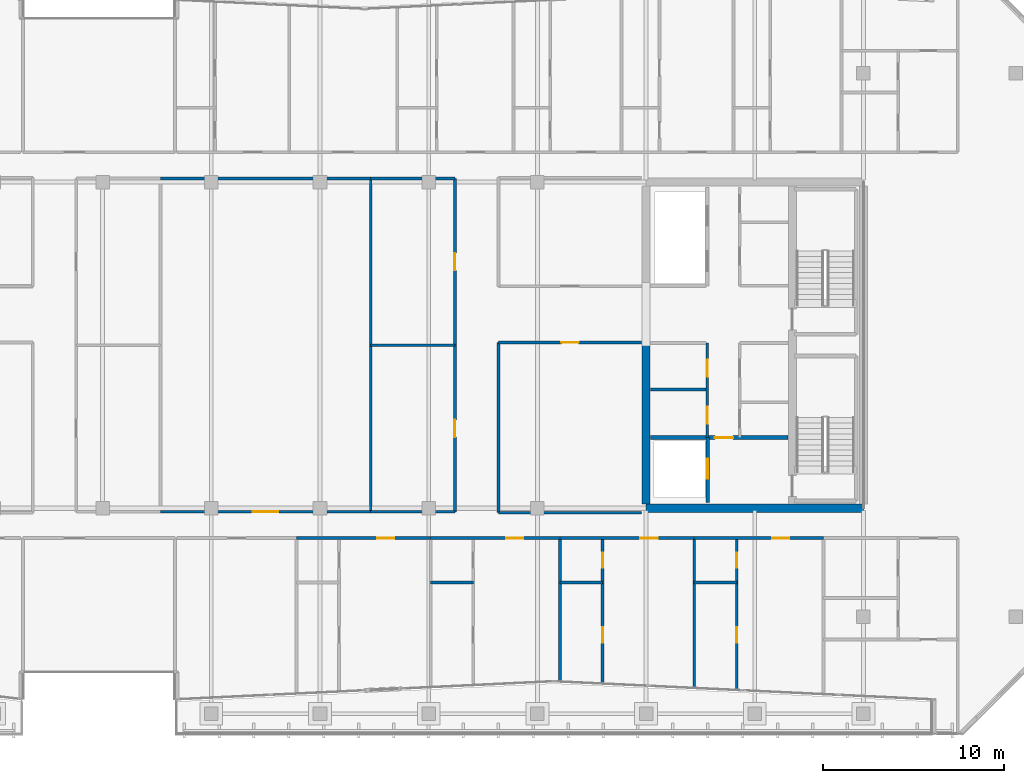
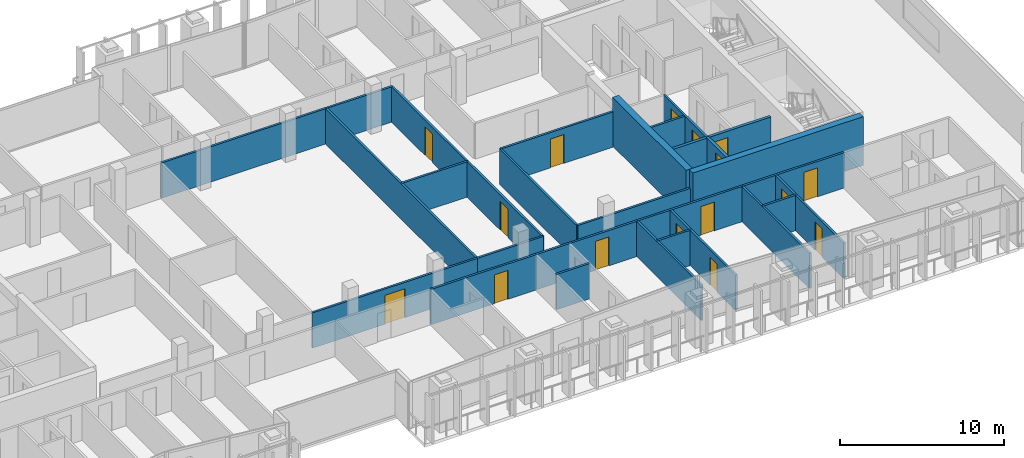
# One storey, part 22 of 31: 28 walls, 16 doors, 16 openings.
"""IFC4 building model written with IfcOpenShell, lengths in metres."""

from ifc_helpers import new_model, si_unit, direction, frame, frame_2d, origin, place, context, subcontext, project, spatial, rectangle, extrude, material, layer, layer_set, type_object, element, fill, save


model = new_model("IFC4")

# Units and contexts
model_context = context("Model", 3, precision=1e-05, world=origin(), true_north=direction((0.0, 1.0)))
body_context = subcontext(model_context, "Body", "Model", "MODEL_VIEW")
ifc_project = project(units=[si_unit("LENGTHUNIT", "METRE"), si_unit("AREAUNIT", "SQUARE_METRE"), si_unit("VOLUMEUNIT", "CUBIC_METRE"), si_unit("PLANEANGLEUNIT", "RADIAN"), si_unit("MASSUNIT", "GRAM", prefix="KILO")], contexts=[model_context])

# Site, building, storey
site_placement = place(None, origin())
site = spatial("IfcSite", under=ifc_project, at=site_placement, CompositionType="ELEMENT")
building_placement = place(site_placement, origin())
building = spatial("IfcBuilding", under=site, at=building_placement, Name="Tanjung Sevakor Pilgrim Tower", CompositionType="ELEMENT")
storey_placement = place(building_placement, frame((0.0, 0.0, 208.22998046875)))
storey = spatial("IfcBuildingStorey", under=building, at=storey_placement, Name="L58", CompositionType="ELEMENT", Elevation=208.22998046875)

# Walls
ifc_material_1 = material(Name="Concrete C60/75", Category="concrete")
ifc_layer_1 = layer(ifc_material_1, 0.449951171875)
ifc_layer_set_1 = layer_set([ifc_layer_1], Name="WALL-CW-450")
wall_type_1 = type_object("IfcWallType", Name="WALL-CW-450", PredefinedType="SHEAR", material=ifc_layer_set_1)
wall_1_placement = place(storey_placement, frame((78.0, 24.60009765625, 0.0), z_axis=(0.0, 0.0, 1.0), x_axis=(1.0, 0.0, 0.0)))
element("IfcWall", 1, at=wall_1_placement, inside=storey, type_object=wall_type_1, Name="L58 E Core South Shear Wall", PredefinedType="SHEAR", context=body_context, shape_type="SweptSolid", body=[
    extrude(rectangle(XDim=12.0, YDim=0.449951171875, at=frame_2d((6.0, 0.0))), origin(), (0.0, 0.0, 1.0), 3.630126953125),
])
wall_2_placement = place(storey_placement, frame((78.0, 24.824951171875, 0.0), z_axis=(0.0, 0.0, 1.0), x_axis=(0.0, 1.0, 0.0)))
element("IfcWall", 2, at=wall_2_placement, inside=storey, type_object=wall_type_1, Name="L58 E Core Inner Shear Wall South", PredefinedType="SHEAR", context=body_context, shape_type="SweptSolid", body=[
    extrude(rectangle(XDim=8.97509765625, YDim=0.449951171875, at=frame_2d((4.487548828125, 0.0))), origin(), (0.0, 0.0, 1.0), 3.630126953125),
])
ifc_material_2 = material(Name="Concrete C40/50", Category="concrete")
ifc_layer_2 = layer(ifc_material_2, 0.14990234375)
ifc_layer_set_2 = layer_set([ifc_layer_2], Name="WT-COMP-150")
wall_type_2 = type_object("IfcWallType", Name="WT-COMP-150", PredefinedType="SOLIDWALL", material=ifc_layer_set_2)
wall_3_placement = place(storey_placement, frame((78.2451171875, 31.14990234375, 0.0), z_axis=(0.0, 0.0, 1.0), x_axis=(1.0, 0.0, 0.0)))
element("IfcWall", 3, at=wall_3_placement, inside=storey, type_object=wall_type_2, Name="L58 Partition IW-L58-019", PredefinedType="SOLIDWALL", context=body_context, shape_type="SweptSolid", body=[
    extrude(rectangle(XDim=3.074951171875, YDim=0.14990234375, at=frame_2d((1.53759765625, 0.0))), origin(), (0.0, 0.0, 1.0), 2.6298828125),
])

# Wall, openings, doors
wall_4_placement = place(storey_placement, frame((81.3798828125, 28.5, 0.0), z_axis=(0.0, 0.0, 1.0), x_axis=(0.0, 1.0, 0.0)))
wall_4 = element("IfcWall", 4, at=wall_4_placement, inside=storey, type_object=wall_type_2, Name="L58 Partition IW-L58-021", PredefinedType="SOLIDWALL", context=body_context, shape_type="SweptSolid", body=[
    extrude(rectangle(XDim=5.219970703125, YDim=0.14990234375, at=frame_2d((2.60986328125, 0.0))), origin(), (0.0, 0.0, 1.0), 2.6298828125),
])
opening_1_placement = place(wall_4_placement, frame((0.75, 0.0, 0.0)))
opening_1 = element("IfcOpeningElement", 5, at=opening_1_placement, cuts=wall_4, Name="Opening ID-FD2", PredefinedType="OPENING", context=body_context, shape_type="SweptSolid", body=[
    extrude(rectangle(XDim=0.949951171875, YDim=2.14990234375, at=frame_2d((0.47509765625, 1.074951171875))), frame((0.0, 0.0849609375, 0.0), z_axis=(0.0, -1.0, 0.0), x_axis=(1.0, 0.0, 0.0)), (0.0, 0.0, 1.0), 0.169921875),
])
opening_2_placement = place(wall_4_placement, frame((3.35009765625, 0.0, 0.0)))
opening_2 = element("IfcOpeningElement", 6, at=opening_2_placement, cuts=wall_4, Name="Opening ID-FD2", PredefinedType="OPENING", context=body_context, shape_type="SweptSolid", body=[
    extrude(rectangle(XDim=0.949951171875, YDim=2.14990234375, at=frame_2d((0.47509765625, 1.074951171875))), frame((0.0, 0.0849609375, 0.0), z_axis=(0.0, -1.0, 0.0), x_axis=(1.0, 0.0, 0.0)), (0.0, 0.0, 1.0), 0.169921875),
])
ifc_material_3 = material(Name="Fire-Rated Timber", Category="wood")
door_type_1 = type_object("IfcDoorType", Name="DT-FIRE-950", OperationType="NOTDEFINED", PredefinedType="DOOR", material=ifc_material_3)
door_1_placement = place(opening_1_placement, origin())
door_1 = element("IfcDoor", 7, at=door_1_placement, inside=storey, type_object=door_type_1, Name="L58 Accessible WC Door", OperationType="SINGLE_SWING_RIGHT", OverallHeight=2.14990234375, OverallWidth=0.949951171875, PredefinedType="DOOR", context=body_context, shape_type="SweptSolid", body=[
    extrude(rectangle(XDim=0.949951171875, YDim=2.14990234375, at=frame_2d((0.47509765625, 1.074951171875))), frame((0.0, 0.02490234375, 0.0), z_axis=(0.0, -1.0, 0.0), x_axis=(1.0, 0.0, 0.0)), (0.0, 0.0, 1.0), 0.050048828125),
])
fill(opening_1, door_1)
door_2_placement = place(opening_2_placement, origin())
door_2 = element("IfcDoor", 8, at=door_2_placement, inside=storey, type_object=door_type_1, Name="L58 Core Service Door", OperationType="SINGLE_SWING_LEFT", OverallHeight=2.14990234375, OverallWidth=0.949951171875, PredefinedType="DOOR", context=body_context, shape_type="SweptSolid", body=[
    extrude(rectangle(XDim=0.949951171875, YDim=2.14990234375, at=frame_2d((0.47509765625, 1.074951171875))), frame((0.0, 0.02490234375, 0.0), z_axis=(0.0, -1.0, 0.0), x_axis=(1.0, 0.0, 0.0)), (0.0, 0.0, 1.0), 0.050048828125),
])
fill(opening_2, door_2)

# Wall
wall_5_placement = place(storey_placement, frame((69.85009765625, 24.35009765625, 0.0), z_axis=(0.0, 0.0, 1.0), x_axis=(1.0, 0.0, 0.0)))
element("IfcWall", 9, at=wall_5_placement, inside=storey, type_object=wall_type_2, Name="L58 Partition IW-L58-033", PredefinedType="SOLIDWALL", context=body_context, shape_type="SweptSolid", body=[
    extrude(rectangle(XDim=7.90478515625, YDim=0.14990234375, at=frame_2d((3.952392578125, 0.0))), origin(), (0.0, 0.0, 1.0), 2.6298828125),
])

# Wall, opening, door
wall_6_placement = place(storey_placement, frame((69.85009765625, 33.75, 0.0), z_axis=(0.0, 0.0, 1.0), x_axis=(1.0, 0.0, 0.0)))
wall_6 = element("IfcWall", 10, at=wall_6_placement, inside=storey, type_object=wall_type_2, Name="L58 Partition IW-L58-034", PredefinedType="SOLIDWALL", context=body_context, shape_type="SweptSolid", body=[
    extrude(rectangle(XDim=7.90478515625, YDim=0.14990234375, at=frame_2d((3.952392578125, 0.0))), origin(), (0.0, 0.0, 1.0), 2.6298828125),
])
opening_3_placement = place(wall_6_placement, frame((3.4775390625, 0.0, 0.0)))
opening_3 = element("IfcOpeningElement", 11, at=opening_3_placement, cuts=wall_6, Name="Opening ID-RM1", PredefinedType="OPENING", context=body_context, shape_type="SweptSolid", body=[
    extrude(rectangle(XDim=0.949951171875, YDim=2.14990234375, at=frame_2d((0.47509765625, 1.074951171875))), frame((0.0, 0.0849609375, 0.0), z_axis=(0.0, -1.0, 0.0), x_axis=(1.0, 0.0, 0.0)), (0.0, 0.0, 1.0), 0.169921875),
])
ifc_material_4 = material(Name="Hardwood Timber", Category="wood")
door_type_2 = type_object("IfcDoorType", Name="DT-INT-950", OperationType="NOTDEFINED", PredefinedType="DOOR", material=ifc_material_4)
door_3_placement = place(opening_3_placement, origin())
door_3 = element("IfcDoor", 12, at=door_3_placement, inside=storey, type_object=door_type_2, Name="L58 East Inboard South Door", OperationType="SINGLE_SWING_RIGHT", OverallHeight=2.14990234375, OverallWidth=0.949951171875, PredefinedType="DOOR", context=body_context, shape_type="SweptSolid", body=[
    extrude(rectangle(XDim=0.949951171875, YDim=2.14990234375, at=frame_2d((0.47509765625, 1.074951171875))), frame((0.0, 0.02490234375, 0.0), z_axis=(0.0, -1.0, 0.0), x_axis=(1.0, 0.0, 0.0)), (0.0, 0.0, 1.0), 0.050048828125),
])
fill(opening_3, door_3)

# Wall
wall_7_placement = place(storey_placement, frame((69.85009765625, 24.35009765625, 0.0), z_axis=(0.0, 0.0, 1.0), x_axis=(0.0, 1.0, 0.0)))
element("IfcWall", 13, at=wall_7_placement, inside=storey, type_object=wall_type_2, Name="L58 Partition IW-L58-035", PredefinedType="SOLIDWALL", context=body_context, shape_type="SweptSolid", body=[
    extrude(rectangle(XDim=9.39990234375, YDim=0.14990234375, at=frame_2d((4.699951171875, 0.0))), origin(), (0.0, 0.0, 1.0), 2.6298828125),
])

# Wall, opening, door
wall_8_placement = place(storey_placement, frame((51.199951171875, 24.39990234375, 0.0), z_axis=(0.0, 0.0, 1.0), x_axis=(1.0, 0.0, 0.0)))
wall_8 = element("IfcWall", 14, at=wall_8_placement, inside=storey, type_object=wall_type_2, Name="L58 Partition IW-L58-044", PredefinedType="SOLIDWALL", context=body_context, shape_type="SweptSolid", body=[
    extrude(rectangle(XDim=11.60009765625, YDim=0.14990234375, at=frame_2d((5.800048828125, 0.0))), origin(), (0.0, 0.0, 1.0), 2.6298828125),
])
opening_4_placement = place(wall_8_placement, frame((5.10009765625, 0.0, 0.0)))
opening_4 = element("IfcOpeningElement", 15, at=opening_4_placement, cuts=wall_8, Name="Opening ID-HD1", PredefinedType="OPENING", context=body_context, shape_type="SweptSolid", body=[
    extrude(rectangle(XDim=1.39990234375, YDim=2.14990234375, at=frame_2d((0.699951171875, 1.074951171875))), frame((0.0, 0.0849609375, 0.0), z_axis=(0.0, -1.0, 0.0), x_axis=(1.0, 0.0, 0.0)), (0.0, 0.0, 1.0), 0.169921875),
])
ifc_material_5 = material(Name="Hardwood Timber", Category="wood")
door_type_3 = type_object("IfcDoorType", Name="DT-INT-1400", OperationType="DOUBLE_DOOR_SINGLE_SWING", PredefinedType="DOOR", material=ifc_material_5)
door_4_placement = place(opening_4_placement, origin())
door_4 = element("IfcDoor", 16, at=door_4_placement, inside=storey, type_object=door_type_3, Name="L58 Sky-Prayer Sanctuary Door", OperationType="SINGLE_SWING_RIGHT", OverallHeight=2.14990234375, OverallWidth=1.39990234375, PredefinedType="DOOR", context=body_context, shape_type="SweptSolid", body=[
    extrude(rectangle(XDim=1.39990234375, YDim=2.14990234375, at=frame_2d((0.699951171875, 1.074951171875))), frame((0.0, 0.02490234375, 0.0), z_axis=(0.0, -1.0, 0.0), x_axis=(1.0, 0.0, 0.0)), (0.0, 0.0, 1.0), 0.050048828125),
])
fill(opening_4, door_4)

# Walls
wall_9_placement = place(storey_placement, frame((51.199951171875, 42.800048828125, 0.0), z_axis=(0.0, 0.0, 1.0), x_axis=(1.0, 0.0, 0.0)))
element("IfcWall", 17, at=wall_9_placement, inside=storey, type_object=wall_type_2, Name="L58 Partition IW-L58-045", PredefinedType="SOLIDWALL", context=body_context, shape_type="SweptSolid", body=[
    extrude(rectangle(XDim=11.60009765625, YDim=0.14990234375, at=frame_2d((5.800048828125, 0.0))), origin(), (0.0, 0.0, 1.0), 2.6298828125),
])
wall_10_placement = place(storey_placement, frame((62.800048828125, 24.39990234375, 0.0), z_axis=(0.0, 0.0, 1.0), x_axis=(0.0, 1.0, 0.0)))
element("IfcWall", 18, at=wall_10_placement, inside=storey, type_object=wall_type_2, Name="L58 Partition IW-L58-047", PredefinedType="SOLIDWALL", context=body_context, shape_type="SweptSolid", body=[
    extrude(rectangle(XDim=18.400146484375, YDim=0.14990234375, at=frame_2d((9.2001953125, 0.0))), origin(), (0.0, 0.0, 1.0), 2.6298828125),
])
for number, where, z_axis, x_axis, name in (
    (19, (62.800048828125, 24.39990234375, 0.0), (0.0, 0.0, 1.0), (1.0, 0.0, 0.0), "L58 Partition IW-L58-048"),
    (20, (62.800048828125, 33.60009765625, 0.0), (0.0, 0.0, 1.0), (1.0, 0.0, 0.0), "L58 Partition IW-L58-049"),
):
    element("IfcWall", number, at=place(storey_placement, frame(where, z_axis=z_axis, x_axis=x_axis)), inside=storey, type_object=wall_type_2, Name=name, PredefinedType="SOLIDWALL", context=body_context, shape_type="SweptSolid", body=[
        extrude(rectangle(XDim=4.64990234375, YDim=0.14990234375, at=frame_2d((2.324951171875, 0.0))), origin(), (0.0, 0.0, 1.0), 2.6298828125),
    ])

# Wall, opening, door
wall_11_placement = place(storey_placement, frame((67.449951171875, 24.39990234375, 0.0), z_axis=(0.0, 0.0, 1.0), x_axis=(0.0, 1.0, 0.0)))
wall_11 = element("IfcWall", 21, at=wall_11_placement, inside=storey, type_object=wall_type_2, Name="L58 Partition IW-L58-050", PredefinedType="SOLIDWALL", context=body_context, shape_type="SweptSolid", body=[
    extrude(rectangle(XDim=9.2001953125, YDim=0.14990234375, at=frame_2d((4.60009765625, 0.0))), origin(), (0.0, 0.0, 1.0), 2.6298828125),
])
opening_5_placement = place(wall_11_placement, frame((4.125, 0.0, 0.0)))
opening_5 = element("IfcOpeningElement", 22, at=opening_5_placement, cuts=wall_11, Name="Opening ID-RM1", PredefinedType="OPENING", context=body_context, shape_type="SweptSolid", body=[
    extrude(rectangle(XDim=0.949951171875, YDim=2.14990234375, at=frame_2d((0.47509765625, 1.074951171875))), frame((0.0, 0.0849609375, 0.0), z_axis=(0.0, -1.0, 0.0), x_axis=(1.0, 0.0, 0.0)), (0.0, 0.0, 1.0), 0.169921875),
])
door_5_placement = place(opening_5_placement, origin())
door_5 = element("IfcDoor", 23, at=door_5_placement, inside=storey, type_object=door_type_2, Name="L58 Female Ablution Door", OperationType="SINGLE_SWING_LEFT", OverallHeight=2.14990234375, OverallWidth=0.949951171875, PredefinedType="DOOR", context=body_context, shape_type="SweptSolid", body=[
    extrude(rectangle(XDim=0.949951171875, YDim=2.14990234375, at=frame_2d((0.47509765625, 1.074951171875))), frame((0.0, 0.02490234375, 0.0), z_axis=(0.0, -1.0, 0.0), x_axis=(1.0, 0.0, 0.0)), (0.0, 0.0, 1.0), 0.050048828125),
])
fill(opening_5, door_5)

# Wall
wall_12_placement = place(storey_placement, frame((62.800048828125, 42.800048828125, 0.0), z_axis=(0.0, 0.0, 1.0), x_axis=(1.0, 0.0, 0.0)))
element("IfcWall", 24, at=wall_12_placement, inside=storey, type_object=wall_type_2, Name="L58 Partition IW-L58-051", PredefinedType="SOLIDWALL", context=body_context, shape_type="SweptSolid", body=[
    extrude(rectangle(XDim=4.64990234375, YDim=0.14990234375, at=frame_2d((2.324951171875, 0.0))), origin(), (0.0, 0.0, 1.0), 2.6298828125),
])

# Wall, opening, door
wall_13_placement = place(storey_placement, frame((67.449951171875, 33.60009765625, 0.0), z_axis=(0.0, 0.0, 1.0), x_axis=(0.0, 1.0, 0.0)))
wall_13 = element("IfcWall", 25, at=wall_13_placement, inside=storey, type_object=wall_type_2, Name="L58 Partition IW-L58-052", PredefinedType="SOLIDWALL", context=body_context, shape_type="SweptSolid", body=[
    extrude(rectangle(XDim=9.199951171875, YDim=0.14990234375, at=frame_2d((4.60009765625, 0.0))), origin(), (0.0, 0.0, 1.0), 2.6298828125),
])
opening_6_placement = place(wall_13_placement, frame((4.125, 0.0, 0.0)))
opening_6 = element("IfcOpeningElement", 26, at=opening_6_placement, cuts=wall_13, Name="Opening ID-RM1", PredefinedType="OPENING", context=body_context, shape_type="SweptSolid", body=[
    extrude(rectangle(XDim=0.949951171875, YDim=2.14990234375, at=frame_2d((0.47509765625, 1.074951171875))), frame((0.0, 0.0849609375, 0.0), z_axis=(0.0, -1.0, 0.0), x_axis=(1.0, 0.0, 0.0)), (0.0, 0.0, 1.0), 0.169921875),
])
door_6_placement = place(opening_6_placement, origin())
door_6 = element("IfcDoor", 27, at=door_6_placement, inside=storey, type_object=door_type_2, Name="L58 Female Washroom Door", OperationType="SINGLE_SWING_RIGHT", OverallHeight=2.14990234375, OverallWidth=0.949951171875, PredefinedType="DOOR", context=body_context, shape_type="SweptSolid", body=[
    extrude(rectangle(XDim=0.949951171875, YDim=2.14990234375, at=frame_2d((0.47509765625, 1.074951171875))), frame((0.0, 0.02490234375, 0.0), z_axis=(0.0, -1.0, 0.0), x_axis=(1.0, 0.0, 0.0)), (0.0, 0.0, 1.0), 0.050048828125),
])
fill(opening_6, door_6)

wall_14_placement = place(storey_placement, frame((58.70556640625, 22.949951171875, 0.0), z_axis=(0.0, 0.0, 1.0), x_axis=(1.0, 0.0, 0.0)))
wall_14 = element("IfcWall", 28, at=wall_14_placement, inside=storey, type_object=wall_type_2, Name="L58 Partition IW-L58-077", PredefinedType="SOLIDWALL", context=body_context, shape_type="SweptSolid", body=[
    extrude(rectangle(XDim=7.40869140625, YDim=0.14990234375, at=frame_2d((3.704345703125, 0.0))), origin(), (0.0, 0.0, 1.0), 2.6298828125),
])
opening_7_placement = place(wall_14_placement, frame((4.4443359375, 0.0, 0.0)))
opening_7 = element("IfcOpeningElement", 29, at=opening_7_placement, cuts=wall_14, Name="Opening ID-FD2", PredefinedType="OPENING", context=body_context, shape_type="SweptSolid", body=[
    extrude(rectangle(XDim=0.949951171875, YDim=2.14990234375, at=frame_2d((0.47509765625, 1.074951171875))), frame((0.0, 0.0849609375, 0.0), z_axis=(0.0, -1.0, 0.0), x_axis=(1.0, 0.0, 0.0)), (0.0, 0.0, 1.0), 0.169921875),
])
door_7_placement = place(opening_7_placement, origin())
door_7 = element("IfcDoor", 30, at=door_7_placement, inside=storey, type_object=door_type_1, Name="Hostel Quad Entrance", OperationType="SINGLE_SWING_LEFT", OverallHeight=2.14990234375, OverallWidth=0.949951171875, PredefinedType="DOOR", context=body_context, shape_type="SweptSolid", body=[
    extrude(rectangle(XDim=0.949951171875, YDim=2.14990234375, at=frame_2d((0.47509765625, 1.074951171875))), frame((0.0, 0.02490234375, 0.0), z_axis=(0.0, -1.0, 0.0), x_axis=(1.0, 0.0, 0.0)), (0.0, 0.0, 1.0), 0.050048828125),
])
fill(opening_7, door_7)

# Wall
wall_15_placement = place(storey_placement, frame((73.24853515625, 15.0234375, 0.0), z_axis=(0.0, 0.0, 1.0), x_axis=(0.0, 1.0, 0.0)))
element("IfcWall", 31, at=wall_15_placement, inside=storey, type_object=wall_type_2, Name="L58 Partition IW-L58-078", PredefinedType="SOLIDWALL", context=body_context, shape_type="SweptSolid", body=[
    extrude(rectangle(XDim=7.926513671875, YDim=0.14990234375, at=frame_2d((3.96337890625, 0.0))), origin(), (0.0, 0.0, 1.0), 2.6298828125),
])

# Wall, opening, door
wall_16_placement = place(storey_placement, frame((66.1142578125, 22.949951171875, 0.0), z_axis=(0.0, 0.0, 1.0), x_axis=(1.0, 0.0, 0.0)))
wall_16 = element("IfcWall", 32, at=wall_16_placement, inside=storey, type_object=wall_type_2, Name="L58 Partition IW-L58-081", PredefinedType="SOLIDWALL", context=body_context, shape_type="SweptSolid", body=[
    extrude(rectangle(XDim=7.13427734375, YDim=0.14990234375, at=frame_2d((3.567138671875, 0.0))), origin(), (0.0, 0.0, 1.0), 2.6298828125),
])
opening_8_placement = place(wall_16_placement, frame((4.1572265625, 0.0, 0.0)))
opening_8 = element("IfcOpeningElement", 33, at=opening_8_placement, cuts=wall_16, Name="Opening ID-FD2", PredefinedType="OPENING", context=body_context, shape_type="SweptSolid", body=[
    extrude(rectangle(XDim=0.949951171875, YDim=2.14990234375, at=frame_2d((0.47509765625, 1.074951171875))), frame((0.0, 0.0849609375, 0.0), z_axis=(0.0, -1.0, 0.0), x_axis=(1.0, 0.0, 0.0)), (0.0, 0.0, 1.0), 0.169921875),
])
door_8_placement = place(opening_8_placement, origin())
door_8 = element("IfcDoor", 34, at=door_8_placement, inside=storey, type_object=door_type_1, Name="Hostel Quad Entrance", OperationType="SINGLE_SWING_RIGHT", OverallHeight=2.14990234375, OverallWidth=0.949951171875, PredefinedType="DOOR", context=body_context, shape_type="SweptSolid", body=[
    extrude(rectangle(XDim=0.949951171875, YDim=2.14990234375, at=frame_2d((0.47509765625, 1.074951171875))), frame((0.0, 0.02490234375, 0.0), z_axis=(0.0, -1.0, 0.0), x_axis=(1.0, 0.0, 0.0)), (0.0, 0.0, 1.0), 0.050048828125),
])
fill(opening_8, door_8)

# Wall
wall_17_placement = place(storey_placement, frame((80.6572265625, 14.6689453125, 0.0), z_axis=(0.0, 0.0, 1.0), x_axis=(0.0, 1.0, 0.0)))
element("IfcWall", 35, at=wall_17_placement, inside=storey, type_object=wall_type_2, Name="L58 Partition IW-L58-082", PredefinedType="SOLIDWALL", context=body_context, shape_type="SweptSolid", body=[
    extrude(rectangle(XDim=8.281005859375, YDim=0.14990234375, at=frame_2d((4.140625, 0.0))), origin(), (0.0, 0.0, 1.0), 2.6298828125),
])

# Wall, opening, door
wall_18_placement = place(storey_placement, frame((73.24853515625, 22.949951171875, 0.0), z_axis=(0.0, 0.0, 1.0), x_axis=(1.0, 0.0, 0.0)))
wall_18 = element("IfcWall", 36, at=wall_18_placement, inside=storey, type_object=wall_type_2, Name="L58 Partition IW-L58-085", PredefinedType="SOLIDWALL", context=body_context, shape_type="SweptSolid", body=[
    extrude(rectangle(XDim=7.40869140625, YDim=0.14990234375, at=frame_2d((3.704345703125, 0.0))), origin(), (0.0, 0.0, 1.0), 2.6298828125),
])
opening_9_placement = place(wall_18_placement, frame((4.4443359375, 0.0, 0.0)))
opening_9 = element("IfcOpeningElement", 37, at=opening_9_placement, cuts=wall_18, Name="Opening ID-FD2", PredefinedType="OPENING", context=body_context, shape_type="SweptSolid", body=[
    extrude(rectangle(XDim=0.949951171875, YDim=2.14990234375, at=frame_2d((0.47509765625, 1.074951171875))), frame((0.0, 0.0849609375, 0.0), z_axis=(0.0, -1.0, 0.0), x_axis=(1.0, 0.0, 0.0)), (0.0, 0.0, 1.0), 0.169921875),
])
door_9_placement = place(opening_9_placement, origin())
door_9 = element("IfcDoor", 38, at=door_9_placement, inside=storey, type_object=door_type_1, Name="Hostel Quad Entrance", OperationType="SINGLE_SWING_LEFT", OverallHeight=2.14990234375, OverallWidth=0.949951171875, PredefinedType="DOOR", context=body_context, shape_type="SweptSolid", body=[
    extrude(rectangle(XDim=0.949951171875, YDim=2.14990234375, at=frame_2d((0.47509765625, 1.074951171875))), frame((0.0, 0.02490234375, 0.0), z_axis=(0.0, -1.0, 0.0), x_axis=(1.0, 0.0, 0.0)), (0.0, 0.0, 1.0), 0.050048828125),
])
fill(opening_9, door_9)

wall_19_placement = place(storey_placement, frame((80.6572265625, 22.949951171875, 0.0), z_axis=(0.0, 0.0, 1.0), x_axis=(1.0, 0.0, 0.0)))
wall_19 = element("IfcWall", 39, at=wall_19_placement, inside=storey, type_object=wall_type_2, Name="L58 Partition IW-L58-089", PredefinedType="SOLIDWALL", context=body_context, shape_type="SweptSolid", body=[
    extrude(rectangle(XDim=7.13427734375, YDim=0.14990234375, at=frame_2d((3.567138671875, 0.0))), origin(), (0.0, 0.0, 1.0), 2.6298828125),
])
opening_10_placement = place(wall_19_placement, frame((4.30712890625, 0.0, 0.0)))
opening_10 = element("IfcOpeningElement", 40, at=opening_10_placement, cuts=wall_19, Name="Opening ID-FD2", PredefinedType="OPENING", context=body_context, shape_type="SweptSolid", body=[
    extrude(rectangle(XDim=0.949951171875, YDim=2.14990234375, at=frame_2d((0.47509765625, 1.074951171875))), frame((0.0, 0.0849609375, 0.0), z_axis=(0.0, -1.0, 0.0), x_axis=(1.0, 0.0, 0.0)), (0.0, 0.0, 1.0), 0.169921875),
])
door_10_placement = place(opening_10_placement, origin())
door_10 = element("IfcDoor", 41, at=door_10_placement, inside=storey, type_object=door_type_1, Name="Hostel Quad Entrance", OperationType="SINGLE_SWING_RIGHT", OverallHeight=2.14990234375, OverallWidth=0.949951171875, PredefinedType="DOOR", context=body_context, shape_type="SweptSolid", body=[
    extrude(rectangle(XDim=0.949951171875, YDim=2.14990234375, at=frame_2d((0.47509765625, 1.074951171875))), frame((0.0, 0.02490234375, 0.0), z_axis=(0.0, -1.0, 0.0), x_axis=(1.0, 0.0, 0.0)), (0.0, 0.0, 1.0), 0.050048828125),
])
fill(opening_10, door_10)

ifc_material_6 = material(Name="Concrete C40/50", Category="concrete")
ifc_layer_3 = layer(ifc_material_6, 0.199951171875)
ifc_layer_set_3 = layer_set([ifc_layer_3], Name="WT-FPRT-200")
wall_type_3 = type_object("IfcWallType", Name="WT-FPRT-200", PredefinedType="SOLIDWALL", material=ifc_layer_set_3)
wall_20_placement = place(storey_placement, frame((81.39990234375, 24.919921875, 0.0), z_axis=(0.0, 0.0, 1.0), x_axis=(0.0, 1.0, 0.0)))
wall_20 = element("IfcWall", 42, at=wall_20_placement, inside=storey, type_object=wall_type_3, Name="L58 Partition IW-L58-014", PredefinedType="SOLIDWALL", context=body_context, shape_type="SweptSolid", body=[
    extrude(rectangle(XDim=3.580078125, YDim=0.199951171875, at=frame_2d((1.7900390625, 0.0))), origin(), (0.0, 0.0, 1.0), 2.6298828125),
])
opening_11_placement = place(wall_20_placement, frame((1.300048828125, 0.0, 0.0)))
opening_11 = element("IfcOpeningElement", 43, at=opening_11_placement, cuts=wall_20, Name="Opening LD-1100", PredefinedType="OPENING", context=body_context, shape_type="SweptSolid", body=[
    extrude(rectangle(XDim=1.10009765625, YDim=2.199951171875, at=frame_2d((0.550048828125, 1.10009765625))), frame((0.0, 0.10986328125, 0.0), z_axis=(0.0, -1.0, 0.0), x_axis=(1.0, 0.0, 0.0)), (0.0, 0.0, 1.0), 0.219970703125),
])
ifc_material_7 = material(Name="Brushed Stainless Steel S355J2", Category="steel")
door_type_4 = type_object("IfcDoorType", Name="DT-LIFT-1100", OperationType="SLIDING_TO_LEFT", PredefinedType="DOOR", material=ifc_material_7)
door_11_placement = place(opening_11_placement, origin())
door_11 = element("IfcDoor", 44, at=door_11_placement, inside=storey, type_object=door_type_4, Name="LD-FL-E", OperationType="SLIDING_TO_LEFT", OverallHeight=2.199951171875, OverallWidth=1.10009765625, PredefinedType="DOOR", context=body_context, shape_type="SweptSolid", body=[
    extrude(rectangle(XDim=1.10009765625, YDim=2.199951171875, at=frame_2d((0.550048828125, 1.10009765625))), frame((0.0, 0.02490234375, 0.0), z_axis=(0.0, -1.0, 0.0), x_axis=(1.0, 0.0, 0.0)), (0.0, 0.0, 1.0), 0.050048828125),
])
fill(opening_11, door_11)

wall_21_placement = place(storey_placement, frame((78.2451171875, 28.5, 0.0), z_axis=(0.0, 0.0, 1.0), x_axis=(1.0, 0.0, 0.0)))
wall_21 = element("IfcWall", 45, at=wall_21_placement, inside=storey, type_object=wall_type_3, Name="L58 Partition IW-L58-015", PredefinedType="SOLIDWALL", context=body_context, shape_type="SweptSolid", body=[
    extrude(rectangle(XDim=7.5849609375, YDim=0.199951171875, at=frame_2d((3.79248046875, 0.0))), origin(), (0.0, 0.0, 1.0), 2.6298828125),
])
opening_12_placement = place(wall_21_placement, frame((3.554931640625, 0.0, 0.0)))
opening_12 = element("IfcOpeningElement", 46, at=opening_12_placement, cuts=wall_21, Name="Opening ID-FD1", PredefinedType="OPENING", context=body_context, shape_type="SweptSolid", body=[
    extrude(rectangle(XDim=1.0, YDim=2.14990234375, at=frame_2d((0.5, 1.074951171875))), frame((0.0, 0.10986328125, 0.0), z_axis=(0.0, -1.0, 0.0), x_axis=(1.0, 0.0, 0.0)), (0.0, 0.0, 1.0), 0.219970703125),
])
ifc_material_8 = material(Name="Fire-Rated Steel S355J2", Category="steel")
door_type_5 = type_object("IfcDoorType", Name="DT-FIRE-1000", OperationType="NOTDEFINED", PredefinedType="DOOR", material=ifc_material_8)
door_12_placement = place(opening_12_placement, origin())
door_12 = element("IfcDoor", 47, at=door_12_placement, inside=storey, type_object=door_type_5, Name="Fire Lobby Door E", OperationType="SINGLE_SWING_LEFT", OverallHeight=2.14990234375, OverallWidth=1.0, PredefinedType="DOOR", context=body_context, shape_type="SweptSolid", body=[
    extrude(rectangle(XDim=1.0, YDim=2.14990234375, at=frame_2d((0.5, 1.074951171875))), frame((0.0, 0.02490234375, 0.0), z_axis=(0.0, -1.0, 0.0), x_axis=(1.0, 0.0, 0.0)), (0.0, 0.0, 1.0), 0.050048828125),
])
fill(opening_12, door_12)

# Walls
ifc_material_9 = material(Name="Gypsum Board Partition", Category="gypsum board")
ifc_layer_4 = layer(ifc_material_9, 0.14990234375)
ifc_layer_set_4 = layer_set([ifc_layer_4], Name="WT-PART-150")
wall_type_4 = type_object("IfcWallType", Name="WT-PART-150", PredefinedType="PARTITIONING", material=ifc_layer_set_4)
for number, where, z_axis, x_axis, name in (
    (48, (66.1142578125, 20.5, 0.0), (0.0, 0.0, 1.0), (1.0, 0.0, 0.0), "L58 Partition IW-L58-079"),
    (49, (73.24853515625, 20.5, 0.0), (0.0, 0.0, 1.0), (1.0, 0.0, 0.0), "L58 Partition IW-L58-083"),
):
    element("IfcWall", number, at=place(storey_placement, frame(where, z_axis=z_axis, x_axis=x_axis)), inside=storey, type_object=wall_type_4, Name=name, PredefinedType="PARTITIONING", context=body_context, shape_type="SweptSolid", body=[
        extrude(rectangle(XDim=2.349853515625, YDim=0.14990234375, at=frame_2d((1.1748046875, 0.0))), origin(), (0.0, 0.0, 1.0), 2.6298828125),
    ])

# Wall, openings, doors
wall_22_placement = place(storey_placement, frame((75.598388671875, 14.910888671875, 0.0), z_axis=(0.0, 0.0, 1.0), x_axis=(0.0, 1.0, 0.0)))
wall_22 = element("IfcWall", 50, at=wall_22_placement, inside=storey, type_object=wall_type_4, Name="L58 Partition IW-L58-084", PredefinedType="PARTITIONING", context=body_context, shape_type="SweptSolid", body=[
    extrude(rectangle(XDim=8.0390625, YDim=0.14990234375, at=frame_2d((4.01953125, 0.0))), origin(), (0.0, 0.0, 1.0), 2.6298828125),
])
opening_13_placement = place(wall_22_placement, frame((2.26904296875, 0.0, 0.0)))
opening_13 = element("IfcOpeningElement", 51, at=opening_13_placement, cuts=wall_22, Name="Opening ID-WC1", PredefinedType="OPENING", context=body_context, shape_type="SweptSolid", body=[
    extrude(rectangle(XDim=0.85009765625, YDim=2.10009765625, at=frame_2d((0.425048828125, 1.050048828125))), frame((0.0, 0.0849609375, 0.0), z_axis=(0.0, -1.0, 0.0), x_axis=(1.0, 0.0, 0.0)), (0.0, 0.0, 1.0), 0.169921875),
])
opening_14_placement = place(wall_22_placement, frame((6.388916015625, 0.0, 0.0)))
opening_14 = element("IfcOpeningElement", 52, at=opening_14_placement, cuts=wall_22, Name="Opening ID-WC1", PredefinedType="OPENING", context=body_context, shape_type="SweptSolid", body=[
    extrude(rectangle(XDim=0.85009765625, YDim=2.10009765625, at=frame_2d((0.425048828125, 1.050048828125))), frame((0.0, 0.0849609375, 0.0), z_axis=(0.0, -1.0, 0.0), x_axis=(1.0, 0.0, 0.0)), (0.0, 0.0, 1.0), 0.169921875),
])
ifc_material_10 = material(Name="Moisture-Resistant Timber", Category="wood")
door_type_6 = type_object("IfcDoorType", Name="DT-INT-850", OperationType="NOTDEFINED", PredefinedType="DOOR", material=ifc_material_10)
door_13_placement = place(opening_13_placement, origin())
door_13 = element("IfcDoor", 53, at=door_13_placement, inside=storey, type_object=door_type_6, Name="Study Nook Door", OperationType="SINGLE_SWING_LEFT", OverallHeight=2.10009765625, OverallWidth=0.85009765625, PredefinedType="DOOR", context=body_context, shape_type="SweptSolid", body=[
    extrude(rectangle(XDim=0.85009765625, YDim=2.10009765625, at=frame_2d((0.425048828125, 1.050048828125))), frame((0.0, 0.02490234375, 0.0), z_axis=(0.0, -1.0, 0.0), x_axis=(1.0, 0.0, 0.0)), (0.0, 0.0, 1.0), 0.050048828125),
])
fill(opening_13, door_13)
door_14_placement = place(opening_14_placement, origin())
door_14 = element("IfcDoor", 54, at=door_14_placement, inside=storey, type_object=door_type_6, Name="Bathroom Door", OperationType="SINGLE_SWING_RIGHT", OverallHeight=2.10009765625, OverallWidth=0.85009765625, PredefinedType="DOOR", context=body_context, shape_type="SweptSolid", body=[
    extrude(rectangle(XDim=0.85009765625, YDim=2.10009765625, at=frame_2d((0.425048828125, 1.050048828125))), frame((0.0, 0.02490234375, 0.0), z_axis=(0.0, -1.0, 0.0), x_axis=(1.0, 0.0, 0.0)), (0.0, 0.0, 1.0), 0.050048828125),
])
fill(opening_14, door_14)

# Wall
wall_23_placement = place(storey_placement, frame((80.6572265625, 20.5, 0.0), z_axis=(0.0, 0.0, 1.0), x_axis=(1.0, 0.0, 0.0)))
element("IfcWall", 55, at=wall_23_placement, inside=storey, type_object=wall_type_4, Name="L58 Partition IW-L58-087", PredefinedType="PARTITIONING", context=body_context, shape_type="SweptSolid", body=[
    extrude(rectangle(XDim=2.349853515625, YDim=0.14990234375, at=frame_2d((1.1748046875, 0.0))), origin(), (0.0, 0.0, 1.0), 2.6298828125),
])

# Wall, openings, doors
wall_24_placement = place(storey_placement, frame((83.007080078125, 14.556640625, 0.0), z_axis=(0.0, 0.0, 1.0), x_axis=(0.0, 1.0, 0.0)))
wall_24 = element("IfcWall", 56, at=wall_24_placement, inside=storey, type_object=wall_type_4, Name="L58 Partition IW-L58-088", PredefinedType="PARTITIONING", context=body_context, shape_type="SweptSolid", body=[
    extrude(rectangle(XDim=8.393310546875, YDim=0.14990234375, at=frame_2d((4.19677734375, 0.0))), origin(), (0.0, 0.0, 1.0), 2.6298828125),
])
opening_15_placement = place(wall_24_placement, frame((2.623291015625, 0.0, 0.0)))
opening_15 = element("IfcOpeningElement", 57, at=opening_15_placement, cuts=wall_24, Name="Opening ID-WC1", PredefinedType="OPENING", context=body_context, shape_type="SweptSolid", body=[
    extrude(rectangle(XDim=0.85009765625, YDim=2.10009765625, at=frame_2d((0.425048828125, 1.050048828125))), frame((0.0, 0.0849609375, 0.0), z_axis=(0.0, -1.0, 0.0), x_axis=(1.0, 0.0, 0.0)), (0.0, 0.0, 1.0), 0.169921875),
])
opening_16_placement = place(wall_24_placement, frame((6.743408203125, 0.0, 0.0)))
opening_16 = element("IfcOpeningElement", 58, at=opening_16_placement, cuts=wall_24, Name="Opening ID-WC1", PredefinedType="OPENING", context=body_context, shape_type="SweptSolid", body=[
    extrude(rectangle(XDim=0.85009765625, YDim=2.10009765625, at=frame_2d((0.425048828125, 1.050048828125))), frame((0.0, 0.0849609375, 0.0), z_axis=(0.0, -1.0, 0.0), x_axis=(1.0, 0.0, 0.0)), (0.0, 0.0, 1.0), 0.169921875),
])
door_15_placement = place(opening_15_placement, origin())
door_15 = element("IfcDoor", 59, at=door_15_placement, inside=storey, type_object=door_type_6, Name="Study Nook Door", OperationType="SINGLE_SWING_RIGHT", OverallHeight=2.10009765625, OverallWidth=0.85009765625, PredefinedType="DOOR", context=body_context, shape_type="SweptSolid", body=[
    extrude(rectangle(XDim=0.85009765625, YDim=2.10009765625, at=frame_2d((0.425048828125, 1.050048828125))), frame((0.0, 0.02490234375, 0.0), z_axis=(0.0, -1.0, 0.0), x_axis=(1.0, 0.0, 0.0)), (0.0, 0.0, 1.0), 0.050048828125),
])
fill(opening_15, door_15)
door_16_placement = place(opening_16_placement, origin())
door_16 = element("IfcDoor", 60, at=door_16_placement, inside=storey, type_object=door_type_6, Name="Bathroom Door", OperationType="SINGLE_SWING_LEFT", OverallHeight=2.10009765625, OverallWidth=0.85009765625, PredefinedType="DOOR", context=body_context, shape_type="SweptSolid", body=[
    extrude(rectangle(XDim=0.85009765625, YDim=2.10009765625, at=frame_2d((0.425048828125, 1.050048828125))), frame((0.0, 0.02490234375, 0.0), z_axis=(0.0, -1.0, 0.0), x_axis=(1.0, 0.0, 0.0)), (0.0, 0.0, 1.0), 0.050048828125),
])
fill(opening_16, door_16)

save(model, "model.ifc")
